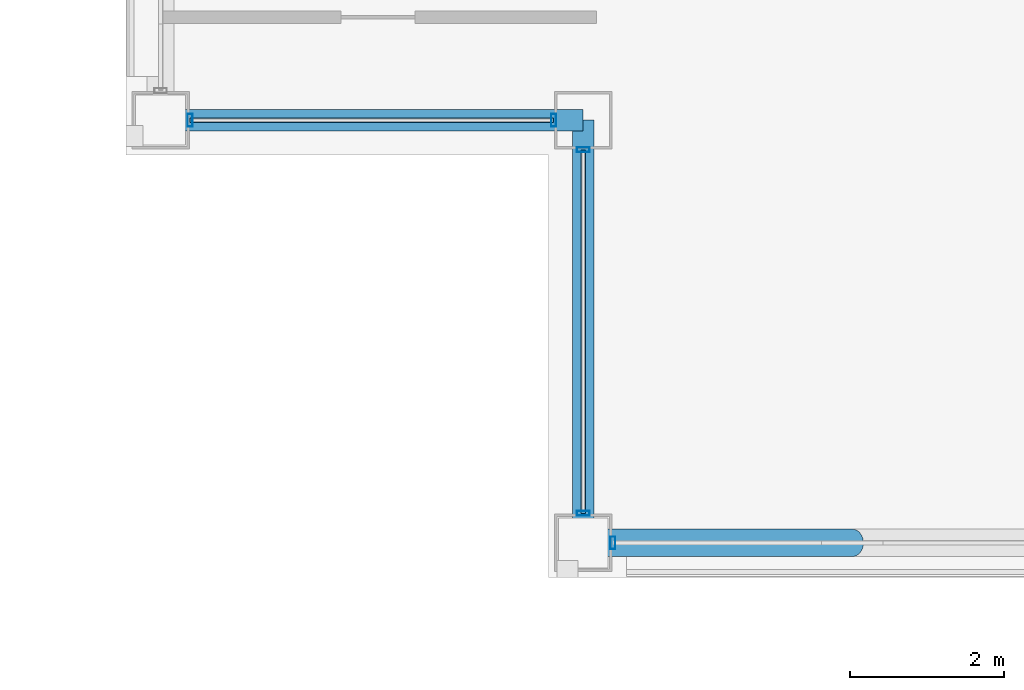
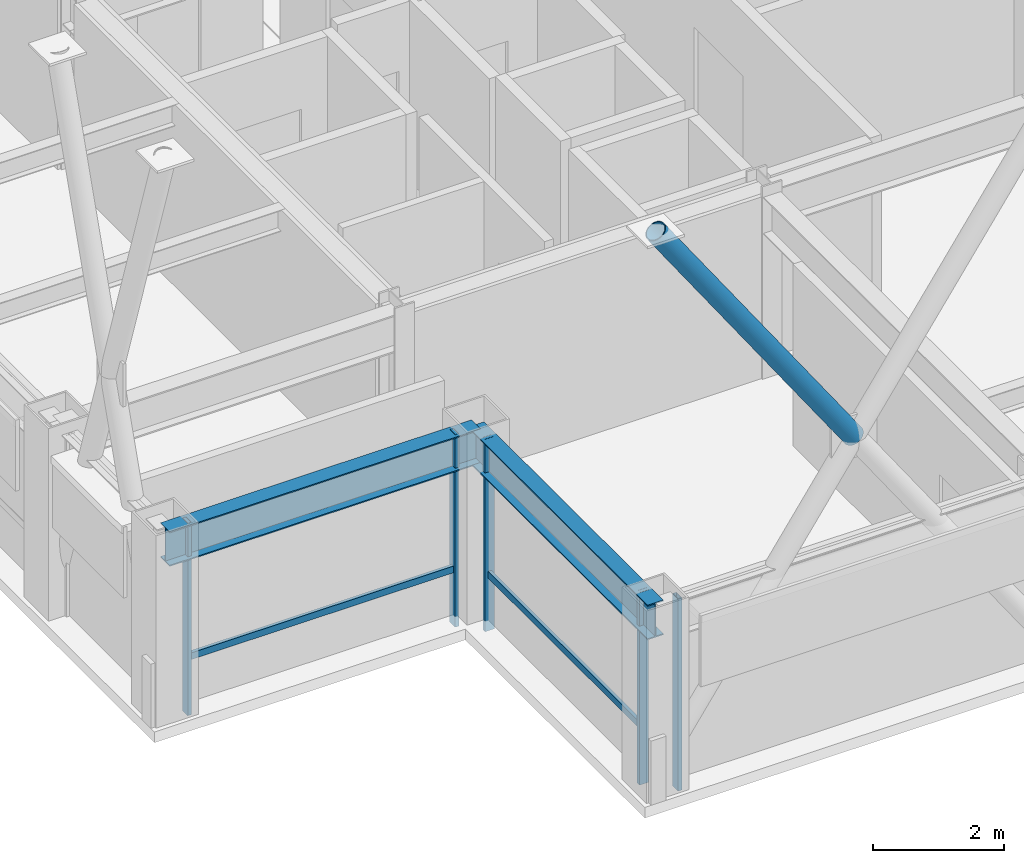
# One storey, part 2 of 32: 8 members, 2 beams, 3 elements without a shape of their own.
"""IFC4 building model written with IfcOpenShell, lengths in metres."""

import ifcopenshell
import ifcopenshell.guid

model = None  # the IFC model being written
_history = None  # IfcOwnerHistory: only IFC2X3 demands one
_inside = {}  # id of a spatial element -> (the spatial element, [elements in it])
_under = {}  # id of a project, library or spatial element -> (it, [spatial elements below it])
_declared = {}  # id of a project -> (the project, [libraries it declares])
_typed = {}  # id of a type object -> (the type object, [elements of that type])
_made_of = {}  # id of a material, layer set ... -> (it, [elements and type objects made of it])


def new_model(schema):
    """Start an empty IFC model of exactly this schema.

    Asked for "IFC4X3", IfcOpenShell would pick the latest addendum, in which some entities
    have other attributes; the version numbers below select the first issue.
    IFC2X3 requires an IfcOwnerHistory on every rooted entity: one is made here for all.
    """
    global model, _history
    if schema == "IFC4X3":
        model = ifcopenshell.file(schema_version=(4, 3, 0, 0))
    else:
        model = ifcopenshell.file(schema=schema)
    _inside.clear()
    _under.clear()
    _declared.clear()
    _typed.clear()
    _made_of.clear()
    _history = None
    if model.schema == "IFC2X3":
        org = make("IfcOrganization", Name="unknown")
        user = make(
            "IfcPersonAndOrganization",
            ThePerson=make("IfcPerson", FamilyName="unknown"),
            TheOrganization=org,
        )
        app = make(
            "IfcApplication",
            ApplicationDeveloper=org,
            Version="unknown",
            ApplicationFullName="unknown",
            ApplicationIdentifier="unknown",
        )
        _history = make(
            "IfcOwnerHistory",
            OwningUser=user,
            OwningApplication=app,
            ChangeAction="ADDED",
            CreationDate=0,
        )
    return model


def make(cls, **values):
    """One entity of the class cls with the attributes given. An attribute that is None is left unset."""
    return model.create_entity(
        cls, **{name: value for name, value in values.items() if value is not None}
    )


def rooted(cls, **values):
    """An entity with a GlobalId (a new one), such as an element, a storey or a relation."""
    return make(cls, GlobalId=ifcopenshell.guid.new(), OwnerHistory=_history, **values)


def si_unit(unit_type, name, prefix=None):
    """IfcSIUnit, for example si_unit("LENGTHUNIT", "METRE", prefix="MILLI")."""
    return make("IfcSIUnit", UnitType=unit_type, Prefix=prefix, Name=name)


def assignment(units):
    """IfcUnitAssignment: the units of a project."""
    return None if units is None else make("IfcUnitAssignment", Units=units)


def point(xyz):
    """IfcCartesianPoint."""
    return None if xyz is None else make("IfcCartesianPoint", Coordinates=xyz)


def direction(xyz):
    """IfcDirection."""
    return None if xyz is None else make("IfcDirection", DirectionRatios=xyz)


def frame(location, z_axis=None, x_axis=None):
    """IfcAxis2Placement3D, a coordinate frame: its origin and axes. An axis left out is left unset."""
    return make(
        "IfcAxis2Placement3D",
        Location=point(location),
        Axis=direction(z_axis),
        RefDirection=direction(x_axis),
    )


def frame_2d(location, x_axis=None):
    """IfcAxis2Placement2D, a coordinate frame in the plane: its origin and x axis."""
    return make(
        "IfcAxis2Placement2D", Location=point(location), RefDirection=direction(x_axis)
    )


def origin():
    """The frame at (0, 0, 0) with its axes left unset."""
    return frame((0.0, 0.0, 0.0))


def origin_2d():
    """The frame at (0, 0) in the plane with its x axis left unset."""
    return frame_2d((0.0, 0.0))


def place(relative_to, where):
    """IfcLocalPlacement: puts the frame where relative to a parent placement (None: the world)."""
    return make(
        "IfcLocalPlacement", PlacementRelTo=relative_to, RelativePlacement=where
    )


def context(
    kind, dimensions, precision=None, world=None, true_north=None, identifier=None
):
    """IfcGeometricRepresentationContext, for example the 3D "Model" context."""
    return make(
        "IfcGeometricRepresentationContext",
        ContextIdentifier=identifier,
        ContextType=kind,
        CoordinateSpaceDimension=dimensions,
        Precision=precision,
        WorldCoordinateSystem=world,
        TrueNorth=true_north,
    )


def subcontext(parent, identifier, kind, view, scale=None):
    """IfcGeometricRepresentationSubContext, for example "Body" below "Model"."""
    return make(
        "IfcGeometricRepresentationSubContext",
        ContextIdentifier=identifier,
        ContextType=kind,
        ParentContext=parent,
        TargetScale=scale,
        TargetView=view,
    )


def project(units=None, contexts=None):
    """IfcProject with its units and contexts."""
    return rooted(
        "IfcProject",
        Name="project",
        RepresentationContexts=contexts,
        UnitsInContext=assignment(units),
    )


def spatial(cls, under=None, at=None, **own):
    """A site, building, storey or space (cls), placed at a placement, below another one or the project."""
    s = rooted(cls, ObjectPlacement=at, **own)
    if under is not None:
        _under.setdefault(under.id(), (under, []))[1].append(s)
    return s


def profile(cls, at=None, kind="AREA", **sizes):
    """A parametric profile (cls). Its sizes go by their IFC names, for example OverallWidth=200.0."""
    return make(cls, ProfileType=kind, Position=at, **sizes)


def hollow_rectangle(**sizes):
    """IfcRectangleHollowProfileDef."""
    return profile("IfcRectangleHollowProfileDef", **sizes)


def hollow_circle(**sizes):
    """IfcCircleHollowProfileDef."""
    return profile("IfcCircleHollowProfileDef", **sizes)


def i_section(**sizes):
    """IfcIShapeProfileDef."""
    return profile("IfcIShapeProfileDef", **sizes)


def extrude(swept, where, along, depth):
    """IfcExtrudedAreaSolid: the profile swept, set in the frame where, extruded along a direction by depth."""
    return make(
        "IfcExtrudedAreaSolid",
        SweptArea=swept,
        Position=where,
        ExtrudedDirection=direction(along),
        Depth=depth,
    )


def shape(context_of_items, identifier, shape_type, items):
    """IfcShapeRepresentation: the items that make up one representation, for example the "Body"."""
    return make(
        "IfcShapeRepresentation",
        ContextOfItems=context_of_items,
        RepresentationIdentifier=identifier,
        RepresentationType=shape_type,
        Items=items,
    )


def material(Name=None, Category=None):
    """IfcMaterial."""
    return make("IfcMaterial", Name=Name, Category=Category)


def layer(
    of_material, thickness, ventilated=None, Name=None, Category=None, Priority=None
):
    """IfcMaterialLayer: one layer of a wall or slab, of a material (None: an air gap)."""
    return make(
        "IfcMaterialLayer",
        Material=of_material,
        LayerThickness=thickness,
        IsVentilated=ventilated,
        Name=Name,
        Category=Category,
        Priority=Priority,
    )


def layer_set(layers, Name=None):
    """IfcMaterialLayerSet."""
    return make("IfcMaterialLayerSet", MaterialLayers=layers, LayerSetName=Name)


def material_profile(
    of_material, cross_section, Name=None, Category=None, Priority=None
):
    """IfcMaterialProfile: a cross section and its material."""
    return make(
        "IfcMaterialProfile",
        Name=Name,
        Material=of_material,
        Profile=cross_section,
        Priority=Priority,
        Category=Category,
    )


def profile_set(profiles, Name=None, composite=None):
    """IfcMaterialProfileSet."""
    return make(
        "IfcMaterialProfileSet",
        Name=Name,
        MaterialProfiles=profiles,
        CompositeProfile=composite,
    )


def made_of(thing, what):
    """Note that an element or type object is made of a material, layer set ...; save() writes the relation."""
    if what is not None:
        _made_of.setdefault(what.id(), (what, []))[1].append(thing)
    return thing


def type_object(cls, material=None, **own):
    """A type object (cls), such as IfcWallType, which elements share."""
    return made_of(rooted(cls, **own), material)


def element(
    cls,
    number,
    at=None,
    inside=None,
    cuts=None,
    type_object=None,
    material=None,
    context=None,
    identifier="Body",
    shape_type=None,
    held_by="IfcProductDefinitionShape",
    body=None,
    shapes=None,
    **own,
):
    """One element of the class cls, such as IfcWall. Its Tag is "e" and its number.

    at: its placement. inside: the storey or other place that contains it. cuts: it is an
    opening in that element (IfcRelVoidsElement). A single representation is given by context,
    identifier, shape_type and body (its items); several are given by shapes. held_by: the class
    of the entity that holds the representations. save() writes the other relations.
    """
    e = rooted(cls, Tag="e%d" % number, ObjectPlacement=at, **own)
    if body is not None:
        shapes = [shape(context, identifier, shape_type, body)]
    if shapes is not None:
        e.Representation = make(held_by, Representations=shapes)
    if inside is not None:
        _inside.setdefault(inside.id(), (inside, []))[1].append(e)
    if cuts is not None:
        rooted(
            "IfcRelVoidsElement", RelatingBuildingElement=cuts, RelatedOpeningElement=e
        )
    if type_object is not None:
        _typed.setdefault(type_object.id(), (type_object, []))[1].append(e)
    return made_of(e, material)


def aggregate(whole, parts):
    """IfcRelAggregates: a whole, such as a stair, and the parts it consists of."""
    return rooted("IfcRelAggregates", RelatingObject=whole, RelatedObjects=parts)


def save(model, path):
    """Write the relations noted so far, then the file.

    IfcRelAggregates (storeys below a building ...), IfcRelContainedInSpatialStructure (elements
    in a storey), IfcRelDefinesByType, IfcRelAssociatesMaterial and IfcRelDeclares: one each for
    every whole, place, type object, material and project.
    """
    for whole, parts in _under.values():
        aggregate(whole, parts)
    for where, things in _inside.values():
        rooted(
            "IfcRelContainedInSpatialStructure",
            RelatedElements=things,
            RelatingStructure=where,
        )
    for kind, things in _typed.values():
        rooted("IfcRelDefinesByType", RelatedObjects=things, RelatingType=kind)
    for what, things in _made_of.values():
        rooted("IfcRelAssociatesMaterial", RelatedObjects=things, RelatingMaterial=what)
    for by, libraries in _declared.values():
        rooted("IfcRelDeclares", RelatingContext=by, RelatedDefinitions=libraries)
    model.write(path)


model = new_model("IFC4")

# Units and contexts
model_context = context("Model", 3, precision=1e-05, world=origin(), true_north=direction((0.0, 1.0)))
body_context = subcontext(model_context, "Body", "Model", "MODEL_VIEW")
ifc_project = project(units=[si_unit("LENGTHUNIT", "METRE"), si_unit("AREAUNIT", "SQUARE_METRE"), si_unit("VOLUMEUNIT", "CUBIC_METRE"), si_unit("PLANEANGLEUNIT", "RADIAN"), si_unit("MASSUNIT", "GRAM", prefix="KILO")], contexts=[model_context])

# Site, building, storey
site_placement = place(None, origin())
site = spatial("IfcSite", under=ifc_project, at=site_placement, CompositionType="ELEMENT")
building_placement = place(site_placement, origin())
building = spatial("IfcBuilding", under=site, at=building_placement, Name="Brelmoor Portico Tower", CompositionType="ELEMENT")
storey_placement = place(building_placement, frame((0.0, 0.0, 162.300048828125)))
storey = spatial("IfcBuildingStorey", under=building, at=storey_placement, Name="L42", CompositionType="ELEMENT", Elevation=162.300048828125)

# Beams
ifc_material_1 = material(Name="Steel Q355B", Category="steel")
ifc_material_profile_1 = material_profile(ifc_material_1, i_section(OverallWidth=0.280029296875, OverallDepth=0.64990234375, WebThickness=0.012939453125, FlangeThickness=0.02197265625, at=origin_2d()), Name="HN 650x280x13x22")
ifc_profile_set_1 = profile_set([ifc_material_profile_1], Name="Steel Q355B")
beam_type = type_object("IfcBeamType", Name="BM-SP-650", PredefinedType="SPANDREL", material=ifc_profile_set_1)
for number, where, z_axis, x_axis, name in (
    (1, (-20.550048828125, -13.050048828125, 3.074951171875), (1.0, 0.0, 0.0), (0.0, 1.0, 0.0), "L42 Perimeter Spandrel Beam SP-04"),
    (2, (-15.050048828125, -18.550048828125, 3.074951171875), (0.0, 1.0, 0.0), (-1.0, 0.0, 0.0), "L42 Perimeter Spandrel Beam SP-14"),
):
    element("IfcBeam", number, at=place(storey_placement, frame(where, z_axis=z_axis, x_axis=x_axis)), inside=storey, type_object=beam_type, Name=name, PredefinedType="SPANDREL", context=body_context, shape_type="SweptSolid", body=[
        extrude(i_section(OverallWidth=0.280029296875, OverallDepth=0.64990234375, WebThickness=0.012939453125, FlangeThickness=0.02197265625, at=origin_2d()), origin(), (0.0, 0.0, 1.0), 5.5),
    ])

# Member
ifc_material_profile_2 = material_profile(ifc_material_1, hollow_circle(Radius=0.177978515625, WallThickness=0.01611328125, at=origin_2d()), Name="CHS 356x16")
ifc_profile_set_2 = profile_set([ifc_material_profile_2], Name="Steel Q355B")
member_type_1 = type_object("IfcMemberType", Name="MB-BELT-DIAG2", PredefinedType="BRACE", material=ifc_profile_set_2)
member_1_placement = place(storey_placement, frame((-11.550048828125, -18.550048828125, 5.300048828125), z_axis=(-0.569647942054, 0.0, 0.821888813717), x_axis=(0.0, -1.0, 0.0)))
element("IfcMember", 3, at=member_1_placement, inside=storey, type_object=member_type_1, Name="L42 Split Mega-X Brace 091B2", PredefinedType="BRACE", context=body_context, shape_type="SweptSolid", body=[
    extrude(hollow_circle(Radius=0.177978515625, WallThickness=0.01611328125, at=origin_2d()), origin(), (0.0, 0.0, 1.0), 6.14404296875),
])

# Curtain wall, member
ifc_material_2 = material(Name="Anodised Aluminium Alloy 6063-T6", Category="aluminium")
ifc_layer_1 = layer(ifc_material_2, 0.179931640625)
ifc_layer_set_1 = layer_set([ifc_layer_1], Name="Anodised Aluminium Alloy 6063-T6")
curtain_wall_type_1 = type_object("IfcCurtainWallType", Name="CW-TOWER-Z3-XB", PredefinedType="NOTDEFINED", material=ifc_layer_set_1)
curtain_wall_1_placement = place(storey_placement, origin())
curtain_wall_1 = element("IfcCurtainWall", 4, at=curtain_wall_1_placement, inside=storey, type_object=curtain_wall_type_1, Name="L42 Curtain Wall CW-L42-1L-1", PredefinedType="NOTDEFINED")
ifc_material_profile_3 = material_profile(ifc_material_2, hollow_rectangle(XDim=0.06494140625, YDim=0.1650390625, WallThickness=0.00390625, at=origin_2d()), Name="ALU MULLION 65x165")
ifc_profile_set_3 = profile_set([ifc_material_profile_3], Name="Anodised Aluminium Alloy 6063-T6")
member_type_2 = type_object("IfcMemberType", Name="MB-CW-MULL-165", PredefinedType="MULLION", material=ifc_profile_set_3)
member_2_placement = place(storey_placement, frame((-14.6650390625, -18.550048828125, -0.199951171875), z_axis=(0.0, 0.0, 1.0), x_axis=(1.0, 0.0, 0.0)))
member_2 = element("IfcMember", 5, at=member_2_placement, type_object=member_type_2, Name="CW-L42-1L-1 Mullion 00", PredefinedType="MULLION", context=body_context, shape_type="SweptSolid", body=[
    extrude(hollow_rectangle(XDim=0.06494140625, YDim=0.1650390625, WallThickness=0.00390625, at=origin_2d()), origin(), (0.0, 0.0, 1.0), 3.599853515625),
])
aggregate(curtain_wall_1, [member_2])

# Curtain wall, members
ifc_layer_2 = layer(ifc_material_2, 0.179931640625)
ifc_layer_set_2 = layer_set([ifc_layer_2], Name="Anodised Aluminium Alloy 6063-T6")
curtain_wall_type_2 = type_object("IfcCurtainWallType", Name="CW-NOTCH-CHAMFER", PredefinedType="NOTDEFINED", material=ifc_layer_set_2)
curtain_wall_2_placement = place(storey_placement, origin())
curtain_wall_2 = element("IfcCurtainWall", 6, at=curtain_wall_2_placement, inside=storey, type_object=curtain_wall_type_2, Name="L42 Curtain Wall CWN-L42-SWH", PredefinedType="NOTDEFINED")
member_3_placement = place(storey_placement, frame((-20.1650390625, -13.050048828125, -0.199951171875), z_axis=(0.0, 0.0, 1.0), x_axis=(1.0, 0.0, 0.0)))
member_3 = element("IfcMember", 7, at=member_3_placement, type_object=member_type_2, Name="CWN-L42-SWH Mullion 00", PredefinedType="MULLION", context=body_context, shape_type="SweptSolid", body=[
    extrude(hollow_rectangle(XDim=0.06494140625, YDim=0.1650390625, WallThickness=0.00390625, at=origin_2d()), origin(), (0.0, 0.0, 1.0), 3.599853515625),
])
member_4_placement = place(storey_placement, frame((-15.43505859375, -13.050048828125, -0.199951171875), z_axis=(0.0, 0.0, 1.0), x_axis=(1.0, 0.0, 0.0)))
member_4 = element("IfcMember", 8, at=member_4_placement, type_object=member_type_2, Name="CWN-L42-SWH Mullion 01", PredefinedType="MULLION", context=body_context, shape_type="SweptSolid", body=[
    extrude(hollow_rectangle(XDim=0.06494140625, YDim=0.1650390625, WallThickness=0.00390625, at=origin_2d()), origin(), (0.0, 0.0, 1.0), 3.599853515625),
])

curtain_wall_3_placement = place(storey_placement, origin())
curtain_wall_3 = element("IfcCurtainWall", 9, at=curtain_wall_3_placement, inside=storey, type_object=curtain_wall_type_2, Name="L42 Curtain Wall CWN-L42-SWV", PredefinedType="NOTDEFINED")
member_5_placement = place(storey_placement, frame((-15.050048828125, -18.1650390625, -0.199951171875), z_axis=(0.0, 0.0, 1.0), x_axis=(0.0, 1.0, 0.0)))
member_5 = element("IfcMember", 10, at=member_5_placement, type_object=member_type_2, Name="CWN-L42-SWV Mullion 00", PredefinedType="MULLION", context=body_context, shape_type="SweptSolid", body=[
    extrude(hollow_rectangle(XDim=0.06494140625, YDim=0.1650390625, WallThickness=0.00390625, at=origin_2d()), origin(), (0.0, 0.0, 1.0), 3.599853515625),
])
member_6_placement = place(storey_placement, frame((-15.050048828125, -13.43505859375, -0.199951171875), z_axis=(0.0, 0.0, 1.0), x_axis=(0.0, 1.0, 0.0)))
member_6 = element("IfcMember", 11, at=member_6_placement, type_object=member_type_2, Name="CWN-L42-SWV Mullion 01", PredefinedType="MULLION", context=body_context, shape_type="SweptSolid", body=[
    extrude(hollow_rectangle(XDim=0.06494140625, YDim=0.1650390625, WallThickness=0.00390625, at=origin_2d()), origin(), (0.0, 0.0, 1.0), 3.599853515625),
])

# Member
ifc_material_profile_4 = material_profile(ifc_material_2, hollow_rectangle(XDim=0.06005859375, YDim=0.125, WallThickness=0.00341796875, at=origin_2d()), Name="ALU TRANSOM 60x125")
ifc_profile_set_4 = profile_set([ifc_material_profile_4], Name="Anodised Aluminium Alloy 6063-T6")
member_type_3 = type_object("IfcMemberType", Name="MB-CW-TRAN-125", PredefinedType="USERDEFINED", material=ifc_profile_set_4)
member_7_placement = place(storey_placement, frame((-20.1650390625, -13.050048828125, 0.849853515625), z_axis=(1.0, 0.0, 0.0), x_axis=(0.0, 1.0, 0.0)))
member_7 = element("IfcMember", 12, at=member_7_placement, type_object=member_type_3, Name="CWN-L42-SWH Transom 1-00", ObjectType="TRANSOM", PredefinedType="USERDEFINED", context=body_context, shape_type="SweptSolid", body=[
    extrude(hollow_rectangle(XDim=0.06005859375, YDim=0.125, WallThickness=0.00341796875, at=origin_2d()), origin(), (0.0, 0.0, 1.0), 4.72998046875),
])

aggregate(curtain_wall_2, [member_3, member_4, member_7])

member_8_placement = place(storey_placement, frame((-15.050048828125, -18.1650390625, 0.849853515625), z_axis=(0.0, 1.0, 0.0), x_axis=(-1.0, 0.0, 0.0)))
member_8 = element("IfcMember", 13, at=member_8_placement, type_object=member_type_3, Name="CWN-L42-SWV Transom 1-00", ObjectType="TRANSOM", PredefinedType="USERDEFINED", context=body_context, shape_type="SweptSolid", body=[
    extrude(hollow_rectangle(XDim=0.06005859375, YDim=0.125, WallThickness=0.00341796875, at=origin_2d()), origin(), (0.0, 0.0, 1.0), 4.72998046875),
])

aggregate(curtain_wall_3, [member_5, member_6, member_8])

save(model, "model.ifc")
